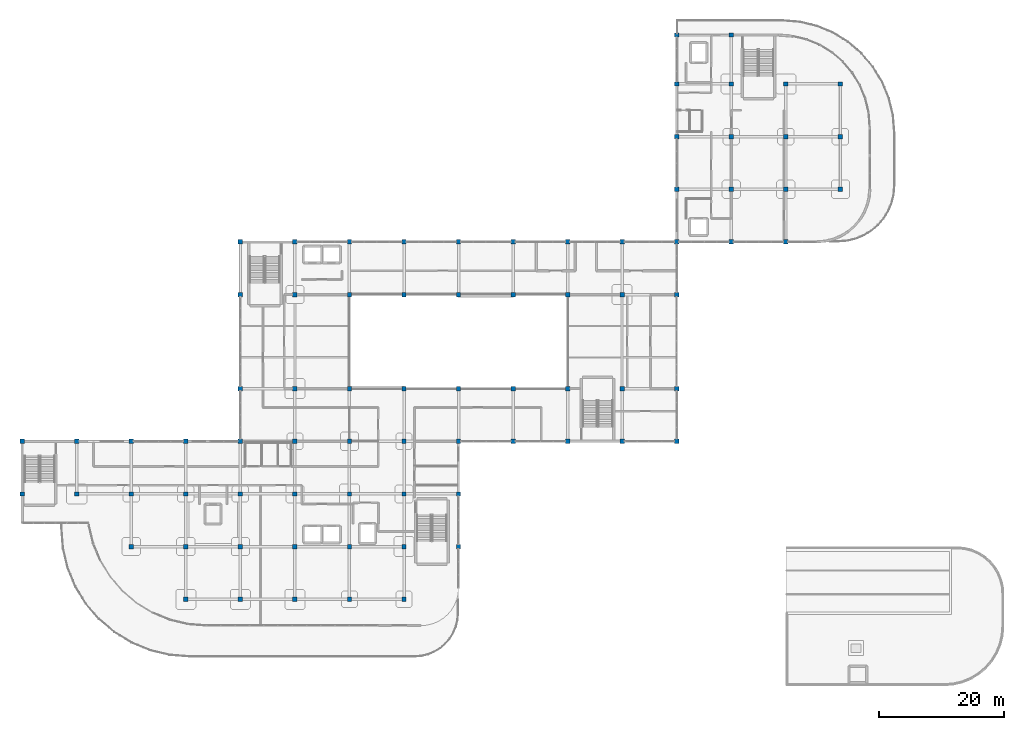
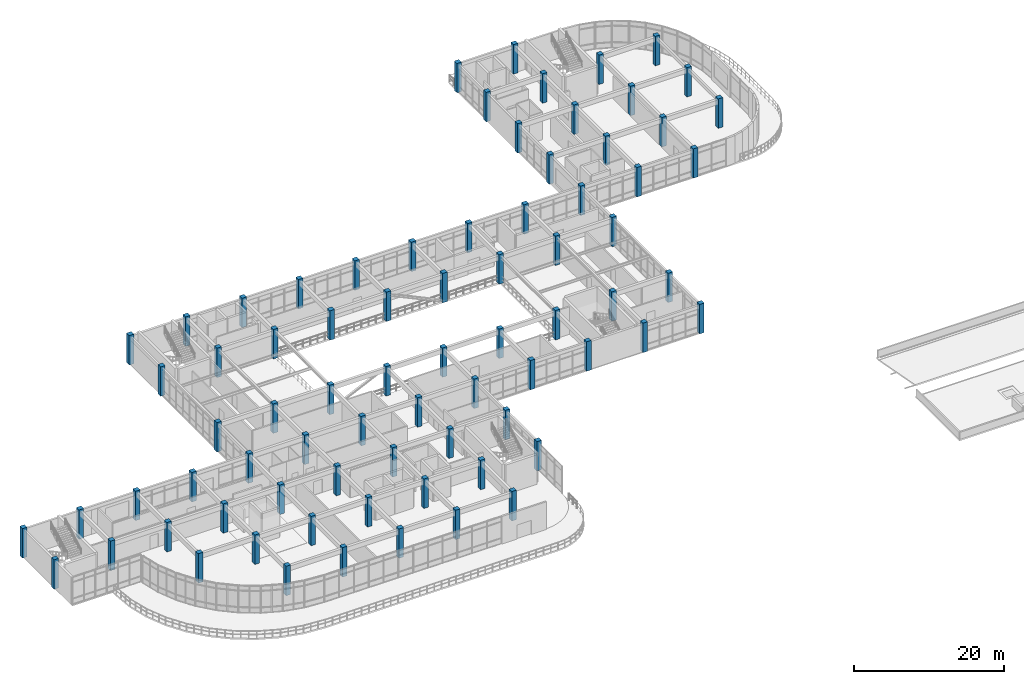
# One storey, part 1 of 76: 77 columns.
"""IFC4 building model written with IfcOpenShell, lengths in metres."""

from ifc_helpers import new_model, si_unit, derived_unit, direction, frame, origin, origin_2d, place, context, subcontext, project, spatial, rectangle, extrude, material, material_profile, profile_set, type_object, element, save


model = new_model("IFC4")

# Units and contexts
model_context = context("Model", 3, precision=1e-05, world=origin(), true_north=direction((0.0, 1.0)))
body_context = subcontext(model_context, "Body", "Model", "MODEL_VIEW")
ifc_project = project(units=[si_unit("LENGTHUNIT", "METRE"), si_unit("AREAUNIT", "SQUARE_METRE"), si_unit("VOLUMEUNIT", "CUBIC_METRE"), si_unit("PLANEANGLEUNIT", "RADIAN"), si_unit("MASSUNIT", "GRAM", prefix="KILO"), derived_unit("THERMALTRANSMITTANCEUNIT", [(si_unit("MASSUNIT", "GRAM", prefix="KILO"), 1), (si_unit("TIMEUNIT", "SECOND"), -3), (si_unit("THERMODYNAMICTEMPERATUREUNIT", "KELVIN"), -1)])], contexts=[model_context])

# Site, building, storey
site_placement = place(None, origin())
site = spatial("IfcSite", under=ifc_project, at=site_placement, CompositionType="ELEMENT")
building_placement = place(site_placement, origin())
building = spatial("IfcBuilding", under=site, at=building_placement, Name="Qinzheling Arcade Emporium", CompositionType="ELEMENT")
storey_placement = place(building_placement, frame((0.0, 0.0, 26.699951171875)))
storey = spatial("IfcBuildingStorey", under=building, at=storey_placement, Name="L06", CompositionType="ELEMENT", Elevation=26.699951171875)

# Columns
ifc_material = material(Name="Concrete C40", Category="concrete")
ifc_material_profile = material_profile(ifc_material, rectangle(XDim=0.699951171875, YDim=0.699951171875, at=origin_2d()), Name="RC 700x700", Category="concrete")
ifc_profile_set = profile_set([ifc_material_profile], Name="Concrete C40")
column_type = type_object("IfcColumnType", Name="RC Column 700x700 C40", PredefinedType="COLUMN", material=ifc_profile_set)
for number, where, z_axis, x_axis, name in (
    (1, (0.0, 33.60009765625, 0.0), (0.0, 0.0, 1.0), (1.0, 0.0, 0.0), "Column COL-L06-1-E"),
    (2, (0.0, 42.0, 0.0), (0.0, 0.0, 1.0), (1.0, 0.0, 0.0), "Column COL-L06-1-F"),
    (3, (8.699951171875, 33.60009765625, 0.0), (0.0, 0.0, 1.0), (1.0, 0.0, 0.0), "Column COL-L06-2-E"),
    (4, (8.699951171875, 42.0, 0.0), (0.0, 0.0, 1.0), (1.0, 0.0, 0.0), "Column COL-L06-2-F"),
    (5, (17.39990234375, 25.199951171875, 0.0), (0.0, 0.0, 1.0), (1.0, 0.0, 0.0), "Column COL-L06-3-D"),
    (6, (17.39990234375, 33.60009765625, 0.0), (0.0, 0.0, 1.0), (1.0, 0.0, 0.0), "Column COL-L06-3-E"),
    (7, (17.39990234375, 42.0, 0.0), (0.0, 0.0, 1.0), (1.0, 0.0, 0.0), "Column COL-L06-3-F"),
    (8, (26.10009765625, 16.800048828125, 0.0), (0.0, 0.0, 1.0), (1.0, 0.0, 0.0), "Column COL-L06-4-C"),
    (9, (26.10009765625, 25.199951171875, 0.0), (0.0, 0.0, 1.0), (1.0, 0.0, 0.0), "Column COL-L06-4-D"),
    (10, (26.10009765625, 33.60009765625, 0.0), (0.0, 0.0, 1.0), (1.0, 0.0, 0.0), "Column COL-L06-4-E"),
    (11, (26.10009765625, 42.0, 0.0), (0.0, 0.0, 1.0), (1.0, 0.0, 0.0), "Column COL-L06-4-F"),
    (12, (34.800048828125, 16.800048828125, 0.0), (0.0, 0.0, 1.0), (1.0, 0.0, 0.0), "Column COL-L06-5-C"),
    (13, (34.800048828125, 25.199951171875, 0.0), (0.0, 0.0, 1.0), (1.0, 0.0, 0.0), "Column COL-L06-5-D"),
    (14, (34.800048828125, 33.60009765625, 0.0), (0.0, 0.0, 1.0), (1.0, 0.0, 0.0), "Column COL-L06-5-E"),
    (15, (34.800048828125, 42.0, 0.0), (0.0, 0.0, 1.0), (1.0, 0.0, 0.0), "Column COL-L06-5-F"),
    (16, (34.800048828125, 50.39990234375, 0.0), (0.0, 0.0, 1.0), (1.0, 0.0, 0.0), "Column COL-L06-5-G"),
    (17, (34.800048828125, 65.39990234375, 0.0), (0.0, 0.0, 1.0), (1.0, 0.0, 0.0), "Column COL-L06-5-H"),
    (18, (34.800048828125, 73.800048828125, 0.0), (0.0, 0.0, 1.0), (1.0, 0.0, 0.0), "Column COL-L06-5-J"),
    (19, (43.5, 16.800048828125, 0.0), (0.0, 0.0, 1.0), (1.0, 0.0, 0.0), "Column COL-L06-6-C"),
    (20, (43.5, 25.199951171875, 0.0), (0.0, 0.0, 1.0), (1.0, 0.0, 0.0), "Column COL-L06-6-D"),
    (21, (43.5, 33.60009765625, 0.0), (0.0, 0.0, 1.0), (1.0, 0.0, 0.0), "Column COL-L06-6-E"),
    (22, (43.5, 42.0, 0.0), (0.0, 0.0, 1.0), (1.0, 0.0, 0.0), "Column COL-L06-6-F"),
    (23, (43.5, 50.39990234375, 0.0), (0.0, 0.0, 1.0), (1.0, 0.0, 0.0), "Column COL-L06-6-G"),
    (24, (43.5, 65.39990234375, 0.0), (0.0, 0.0, 1.0), (1.0, 0.0, 0.0), "Column COL-L06-6-H"),
    (25, (43.5, 73.800048828125, 0.0), (0.0, 0.0, 1.0), (1.0, 0.0, 0.0), "Column COL-L06-6-J"),
    (26, (52.199951171875, 16.800048828125, 0.0), (0.0, 0.0, 1.0), (1.0, 0.0, 0.0), "Column COL-L06-7-C"),
    (27, (52.199951171875, 25.199951171875, 0.0), (0.0, 0.0, 1.0), (1.0, 0.0, 0.0), "Column COL-L06-7-D"),
    (28, (52.199951171875, 33.60009765625, 0.0), (0.0, 0.0, 1.0), (1.0, 0.0, 0.0), "Column COL-L06-7-E"),
    (29, (52.199951171875, 42.0, 0.0), (0.0, 0.0, 1.0), (1.0, 0.0, 0.0), "Column COL-L06-7-F"),
    (30, (52.199951171875, 50.39990234375, 0.0), (0.0, 0.0, 1.0), (1.0, 0.0, 0.0), "Column COL-L06-7-G"),
    (31, (52.199951171875, 65.39990234375, 0.0), (0.0, 0.0, 1.0), (1.0, 0.0, 0.0), "Column COL-L06-7-H"),
    (32, (52.199951171875, 73.800048828125, 0.0), (0.0, 0.0, 1.0), (1.0, 0.0, 0.0), "Column COL-L06-7-J"),
    (33, (60.89990234375, 16.800048828125, 0.0), (0.0, 0.0, 1.0), (1.0, 0.0, 0.0), "Column COL-L06-8-C"),
    (34, (60.89990234375, 25.199951171875, 0.0), (0.0, 0.0, 1.0), (1.0, 0.0, 0.0), "Column COL-L06-8-D"),
    (35, (60.89990234375, 33.60009765625, 0.0), (0.0, 0.0, 1.0), (1.0, 0.0, 0.0), "Column COL-L06-8-E"),
    (36, (60.89990234375, 42.0, 0.0), (0.0, 0.0, 1.0), (1.0, 0.0, 0.0), "Column COL-L06-8-F"),
    (37, (60.89990234375, 50.39990234375, 0.0), (0.0, 0.0, 1.0), (1.0, 0.0, 0.0), "Column COL-L06-8-G"),
    (38, (60.89990234375, 65.39990234375, 0.0), (0.0, 0.0, 1.0), (1.0, 0.0, 0.0), "Column COL-L06-8-H"),
    (39, (60.89990234375, 73.800048828125, 0.0), (0.0, 0.0, 1.0), (1.0, 0.0, 0.0), "Column COL-L06-8-J"),
    (40, (69.60009765625, 25.199951171875, 0.0), (0.0, 0.0, 1.0), (1.0, 0.0, 0.0), "Column COL-L06-9-D"),
    (41, (69.60009765625, 33.60009765625, 0.0), (0.0, 0.0, 1.0), (1.0, 0.0, 0.0), "Column COL-L06-9-E"),
    (42, (69.60009765625, 42.0, 0.0), (0.0, 0.0, 1.0), (1.0, 0.0, 0.0), "Column COL-L06-9-F"),
    (43, (69.60009765625, 50.39990234375, 0.0), (0.0, 0.0, 1.0), (1.0, 0.0, 0.0), "Column COL-L06-9-G"),
    (44, (69.60009765625, 65.39990234375, 0.0), (0.0, 0.0, 1.0), (1.0, 0.0, 0.0), "Column COL-L06-9-H"),
    (45, (69.60009765625, 73.800048828125, 0.0), (0.0, 0.0, 1.0), (1.0, 0.0, 0.0), "Column COL-L06-9-J"),
    (46, (78.300048828125, 42.0, 0.0), (0.0, 0.0, 1.0), (1.0, 0.0, 0.0), "Column COL-L06-10-F"),
    (47, (78.300048828125, 50.39990234375, 0.0), (0.0, 0.0, 1.0), (1.0, 0.0, 0.0), "Column COL-L06-10-G"),
    (48, (78.300048828125, 65.39990234375, 0.0), (0.0, 0.0, 1.0), (1.0, 0.0, 0.0), "Column COL-L06-10-H"),
    (49, (78.300048828125, 73.800048828125, 0.0), (0.0, 0.0, 1.0), (1.0, 0.0, 0.0), "Column COL-L06-10-J"),
    (50, (87.0, 42.0, 0.0), (0.0, 0.0, 1.0), (1.0, 0.0, 0.0), "Column COL-L06-11-F"),
    (51, (87.0, 50.39990234375, 0.0), (0.0, 0.0, 1.0), (1.0, 0.0, 0.0), "Column COL-L06-11-G"),
    (52, (87.0, 65.39990234375, 0.0), (0.0, 0.0, 1.0), (1.0, 0.0, 0.0), "Column COL-L06-11-H"),
    (53, (87.0, 73.800048828125, 0.0), (0.0, 0.0, 1.0), (1.0, 0.0, 0.0), "Column COL-L06-11-J"),
    (54, (95.699951171875, 42.0, 0.0), (0.0, 0.0, 1.0), (1.0, 0.0, 0.0), "Column COL-L06-12-F"),
    (55, (95.699951171875, 50.39990234375, 0.0), (0.0, 0.0, 1.0), (1.0, 0.0, 0.0), "Column COL-L06-12-G"),
    (56, (95.699951171875, 65.39990234375, 0.0), (0.0, 0.0, 1.0), (1.0, 0.0, 0.0), "Column COL-L06-12-H"),
    (57, (95.699951171875, 73.800048828125, 0.0), (0.0, 0.0, 1.0), (1.0, 0.0, 0.0), "Column COL-L06-12-J"),
    (58, (104.39990234375, 42.0, 0.0), (0.0, 0.0, 1.0), (1.0, 0.0, 0.0), "Column COL-L06-13-F"),
    (59, (104.39990234375, 50.39990234375, 0.0), (0.0, 0.0, 1.0), (1.0, 0.0, 0.0), "Column COL-L06-13-G"),
    (60, (104.39990234375, 65.39990234375, 0.0), (0.0, 0.0, 1.0), (1.0, 0.0, 0.0), "Column COL-L06-13-H"),
    (61, (104.39990234375, 73.800048828125, 0.0), (0.0, 0.0, 1.0), (1.0, 0.0, 0.0), "Column COL-L06-13-J"),
    (62, (104.39990234375, 82.199951171875, 0.0), (0.0, 0.0, 1.0), (1.0, 0.0, 0.0), "Column COL-L06-13-K"),
    (63, (104.39990234375, 90.60009765625, 0.0), (0.0, 0.0, 1.0), (1.0, 0.0, 0.0), "Column COL-L06-13-L"),
    (64, (104.39990234375, 99.0, 0.0), (0.0, 0.0, 1.0), (1.0, 0.0, 0.0), "Column COL-L06-13-M"),
    (65, (104.39990234375, 106.800048828125, 0.0), (0.0, 0.0, 1.0), (1.0, 0.0, 0.0), "Column COL-L06-13-N"),
    (66, (113.10009765625, 73.800048828125, 0.0), (0.0, 0.0, 1.0), (1.0, 0.0, 0.0), "Column COL-L06-14-J"),
    (67, (113.10009765625, 82.199951171875, 0.0), (0.0, 0.0, 1.0), (1.0, 0.0, 0.0), "Column COL-L06-14-K"),
    (68, (113.10009765625, 90.60009765625, 0.0), (0.0, 0.0, 1.0), (1.0, 0.0, 0.0), "Column COL-L06-14-L"),
    (69, (113.10009765625, 99.0, 0.0), (0.0, 0.0, 1.0), (1.0, 0.0, 0.0), "Column COL-L06-14-M"),
    (70, (113.10009765625, 106.800048828125, 0.0), (0.0, 0.0, 1.0), (1.0, 0.0, 0.0), "Column COL-L06-14-N"),
    (71, (121.800048828125, 73.800048828125, 0.0), (0.0, 0.0, 1.0), (1.0, 0.0, 0.0), "Column COL-L06-15-J"),
    (72, (121.800048828125, 82.199951171875, 0.0), (0.0, 0.0, 1.0), (1.0, 0.0, 0.0), "Column COL-L06-15-K"),
    (73, (121.800048828125, 90.60009765625, 0.0), (0.0, 0.0, 1.0), (1.0, 0.0, 0.0), "Column COL-L06-15-L"),
    (74, (121.800048828125, 99.0, 0.0), (0.0, 0.0, 1.0), (1.0, 0.0, 0.0), "Column COL-L06-15-M"),
    (75, (130.5, 82.199951171875, 0.0), (0.0, 0.0, 1.0), (1.0, 0.0, 0.0), "Column COL-L06-16-K"),
    (76, (130.5, 90.60009765625, 0.0), (0.0, 0.0, 1.0), (1.0, 0.0, 0.0), "Column COL-L06-16-L"),
    (77, (130.5, 99.0, 0.0), (0.0, 0.0, 1.0), (1.0, 0.0, 0.0), "Column COL-L06-16-M"),
):
    element("IfcColumn", number, at=place(storey_placement, frame(where, z_axis=z_axis, x_axis=x_axis)), inside=storey, type_object=column_type, Name=name, PredefinedType="COLUMN", context=body_context, shape_type="SweptSolid", body=[
        extrude(rectangle(XDim=0.699951171875, YDim=0.699951171875, at=origin_2d()), origin(), (0.0, 0.0, 1.0), 4.800048828125),
    ])

save(model, "model.ifc")
